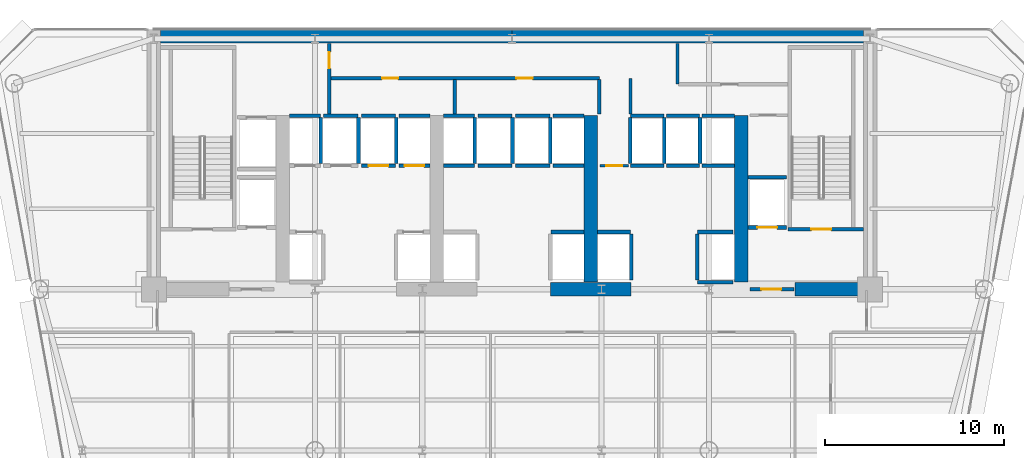
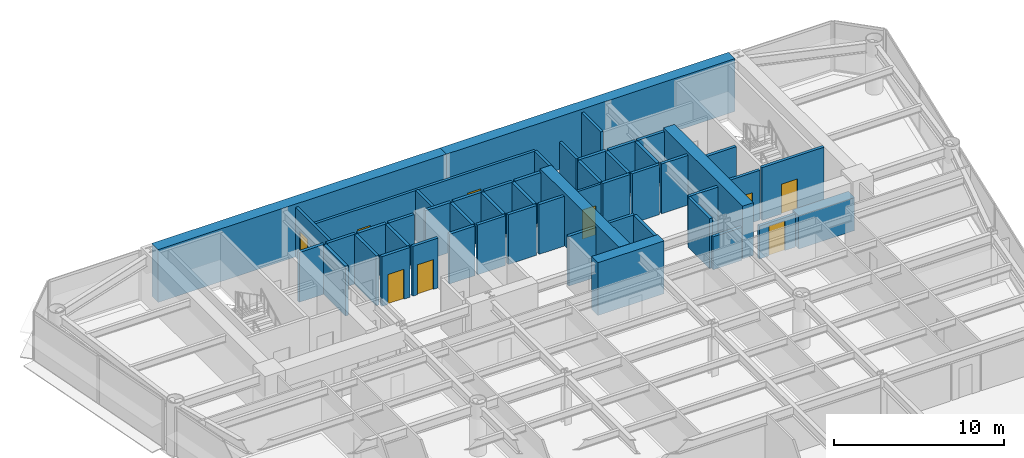
# One storey, part 9 of 14: 52 walls, 9 doors, 9 openings.
"""IFC4 building model written with IfcOpenShell, lengths in metres."""

from ifc_helpers import new_model, si_unit, direction, frame, frame_2d, origin, place, context, subcontext, project, spatial, rectangle, extrude, source, transform, mapped, material, layer, layer_set, type_object, element, fill, save


model = new_model("IFC4")

# Units and contexts
model_context = context("Model", 3, precision=1e-05, world=origin(), true_north=direction((0.0, 1.0)))
body_context = subcontext(model_context, "Body", "Model", "MODEL_VIEW")
ifc_project = project(units=[si_unit("LENGTHUNIT", "METRE"), si_unit("AREAUNIT", "SQUARE_METRE"), si_unit("VOLUMEUNIT", "CUBIC_METRE"), si_unit("PLANEANGLEUNIT", "RADIAN"), si_unit("MASSUNIT", "GRAM", prefix="KILO")], contexts=[model_context])

# Site, building, storey
site_placement = place(None, origin())
site = spatial("IfcSite", under=ifc_project, at=site_placement, CompositionType="ELEMENT")
building_placement = place(site_placement, origin())
building = spatial("IfcBuilding", under=site, at=building_placement, Name="Vaeldorn Concourse Tower", CompositionType="ELEMENT")
storey_placement = place(building_placement, frame((0.0, 0.0, 92.0)))
storey = spatial("IfcBuildingStorey", under=building, at=storey_placement, Name="L23", CompositionType="ELEMENT", Elevation=92.0)

# Walls
ifc_material_1 = material(Name="Concrete C60/75", Category="concrete")
ifc_layer_1 = layer(ifc_material_1, 0.75)
ifc_layer_set_1 = layer_set([ifc_layer_1], Name="Concrete C60/75")
wall_type_1 = type_object("IfcWallType", Name="WL-CORE-750", PredefinedType="SHEAR", material=ifc_layer_set_1)
for number, where, z_axis, x_axis, name in (
    (1, (14.37890625, 50.625, 0.0), (0.0, 0.0, 1.0), (1.0, 0.0, 0.0), "Rear Core Shear Wall L23 N1"),
    (2, (34.001953125, 50.625, 0.0), (0.0, 0.0, 1.0), (1.0, 0.0, 0.0), "Rear Core Shear Wall L23 N2"),
):
    element("IfcWall", number, at=place(storey_placement, frame(where, z_axis=z_axis, x_axis=x_axis)), inside=storey, type_object=wall_type_1, Name=name, PredefinedType="SHEAR", context=body_context, shape_type="SweptSolid", body=[
        extrude(rectangle(XDim=19.619140625, YDim=0.75, at=frame_2d((9.8095703125, 0.0))), origin(), (0.0, 0.0, 1.0), 3.800048828125),
    ])
wall_1_placement = place(storey_placement, frame((36.14990234375, 36.5, 0.0), z_axis=(0.0, 0.0, 1.0), x_axis=(1.0, 0.0, 0.0)))
element("IfcWall", 3, at=wall_1_placement, inside=storey, type_object=wall_type_1, Name="Rear Core Shear Wall L23 S3", PredefinedType="SHEAR", context=body_context, shape_type="SweptSolid", body=[
    extrude(rectangle(XDim=4.5, YDim=0.75, at=frame_2d((2.25, 0.0))), origin(), (0.0, 0.0, 1.0), 3.800048828125),
])
wall_2_placement = place(storey_placement, frame((49.800048828125, 36.5, 0.0), z_axis=(0.0, 0.0, 1.0), x_axis=(1.0, 0.0, 0.0)))
element("IfcWall", 4, at=wall_2_placement, inside=storey, type_object=wall_type_1, Name="Rear Core Shear Wall L23 S4", PredefinedType="SHEAR", context=body_context, shape_type="SweptSolid", body=[
    extrude(rectangle(XDim=3.804931640625, YDim=0.75, at=frame_2d((1.90234375, 0.0))), origin(), (0.0, 0.0, 1.0), 2.3798828125),
])
for number, where, z_axis, x_axis, name in (
    (5, (38.39990234375, 36.89501953125, 0.0), (0.0, 0.0, 1.0), (0.0, 1.0, 0.0), "Rear Core Shear Wall L23 M3"),
    (6, (46.800048828125, 36.89501953125, 0.0), (0.0, 0.0, 1.0), (0.0, 1.0, 0.0), "Rear Core Shear Wall L23 M4"),
):
    element("IfcWall", number, at=place(storey_placement, frame(where, z_axis=z_axis, x_axis=x_axis)), inside=storey, type_object=wall_type_1, Name=name, PredefinedType="SHEAR", context=body_context, shape_type="SweptSolid", body=[
        extrude(rectangle(XDim=9.304931640625, YDim=0.75, at=frame_2d((4.65234375, 0.0))), origin(), (0.0, 0.0, 1.0), 3.800048828125),
    ])

# Wall, opening, door
ifc_material_2 = material(Name="Gypsum Board Partition", Category="gypsum")
ifc_layer_2 = layer(ifc_material_2, 0.14990234375)
ifc_layer_set_2 = layer_set([ifc_layer_2], Name="Gypsum Board Partition")
wall_type_2 = type_object("IfcWallType", Name="WL-PART-150", PredefinedType="PARTITIONING", material=ifc_layer_set_2)
wall_3_placement = place(storey_placement, frame((38.919921875, 43.39990234375, 0.0), z_axis=(0.0, 0.0, 1.0), x_axis=(1.0, 0.0, 0.0)))
wall_3 = element("IfcWall", 7, at=wall_3_placement, inside=storey, type_object=wall_type_2, Name="Interior Wall CW-L23-CCLINK", PredefinedType="PARTITIONING", context=body_context, shape_type="SweptSolid", body=[
    extrude(rectangle(XDim=1.60009765625, YDim=0.14990234375, at=frame_2d((0.800048828125, 0.0))), origin(), (0.0, 0.0, 1.0), 3.580078125),
])
opening_1_placement = place(wall_3_placement, frame((0.35009765625, 0.0, 0.0)))
opening_1 = element("IfcOpeningElement", 8, at=opening_1_placement, cuts=wall_3, Name="Opening D-02", PredefinedType="OPENING", context=body_context, shape_type="SweptSolid", body=[
    extrude(rectangle(XDim=0.89990234375, YDim=2.10009765625, at=frame_2d((0.449951171875, 1.050048828125))), frame((0.0, 0.0849609375, 0.0), z_axis=(0.0, -1.0, 0.0), x_axis=(1.0, 0.0, 0.0)), (0.0, 0.0, 1.0), 0.169921875),
])
ifc_material_3 = material(Name="Fire-Rated Timber Leaf", Category="wood")
door_type_1 = type_object("IfcDoorType", Name="DR-FD30-900", OperationType="NOTDEFINED", PredefinedType="DOOR", material=ifc_material_3)
shared_shape_1 = source(origin(), body_context, "Body", "SweptSolid", [
    extrude(rectangle(XDim=0.89990234375, YDim=2.10009765625, at=frame_2d((0.449951171875, 1.050048828125))), frame((0.0, 0.02490234375, 0.0), z_axis=(0.0, -1.0, 0.0), x_axis=(1.0, 0.0, 0.0)), (0.0, 0.0, 1.0), 0.050048828125),
])
door_1_placement = place(opening_1_placement, origin())
door_1 = element("IfcDoor", 9, at=door_1_placement, inside=storey, type_object=door_type_1, Name="Interior Door DR-L23-CCLINK", OperationType="SINGLE_SWING_LEFT", OverallHeight=2.10009765625, OverallWidth=0.89990234375, PredefinedType="DOOR", context=body_context, shape_type="MappedRepresentation", body=[
    mapped(shared_shape_1, transform((0.0, 0.0, 0.0), scale=1.0)),
])
fill(opening_1, door_1)

# Wall, openings, doors
ifc_layer_3 = layer(ifc_material_2, 0.179931640625)
ifc_layer_set_3 = layer_set([ifc_layer_3], Name="Gypsum Board Partition")
wall_type_3 = type_object("IfcWallType", Name="WL-PLUMB-180", PredefinedType="PLUMBINGWALL", material=ifc_layer_set_3)
wall_4_placement = place(storey_placement, frame((23.85009765625, 48.280029296875, 0.0), z_axis=(0.0, 0.0, 1.0), x_axis=(1.0, 0.0, 0.0)))
wall_4 = element("IfcWall", 10, at=wall_4_placement, inside=storey, type_object=wall_type_3, Name="Interior Wall CW-L23-NS2W", PredefinedType="PLUMBINGWALL", context=body_context, shape_type="SweptSolid", body=[
    extrude(rectangle(XDim=15.02978515625, YDim=0.179931640625, at=frame_2d((7.514892578125, 0.0))), origin(), (0.0, 0.0, 1.0), 3.580078125),
])
opening_2_placement = place(wall_4_placement, frame((2.89990234375, 0.0, 0.0)))
opening_2 = element("IfcOpeningElement", 11, at=opening_2_placement, cuts=wall_4, Name="Opening D-03", PredefinedType="OPENING", context=body_context, shape_type="SweptSolid", body=[
    extrude(rectangle(XDim=0.89990234375, YDim=2.14990234375, at=frame_2d((0.449951171875, 1.074951171875))), frame((0.0, 0.10009765625, 0.0), z_axis=(0.0, -1.0, 0.0), x_axis=(1.0, 0.0, 0.0)), (0.0, 0.0, 1.0), 0.199951171875),
])
opening_3_placement = place(wall_4_placement, frame((10.39990234375, 0.0, 0.0)))
opening_3 = element("IfcOpeningElement", 12, at=opening_3_placement, cuts=wall_4, Name="Opening D-03", PredefinedType="OPENING", context=body_context, shape_type="SweptSolid", body=[
    extrude(rectangle(XDim=0.89990234375, YDim=2.14990234375, at=frame_2d((0.449951171875, 1.074951171875))), frame((0.0, 0.10009765625, 0.0), z_axis=(0.0, -1.0, 0.0), x_axis=(1.0, 0.0, 0.0)), (0.0, 0.0, 1.0), 0.199951171875),
])
ifc_material_4 = material(Name="Acoustic Bronze-Framed Glass Door", Category="glass")
door_type_2 = type_object("IfcDoorType", Name="DR-INT-900", OperationType="NOTDEFINED", PredefinedType="DOOR", material=ifc_material_4)
shared_shape_2 = source(origin(), body_context, "Body", "SweptSolid", [
    extrude(rectangle(XDim=0.89990234375, YDim=2.14990234375, at=frame_2d((0.449951171875, 1.074951171875))), frame((0.0, 0.02490234375, 0.0), z_axis=(0.0, -1.0, 0.0), x_axis=(1.0, 0.0, 0.0)), (0.0, 0.0, 1.0), 0.050048828125),
])
door_2_placement = place(opening_2_placement, origin())
door_2 = element("IfcDoor", 13, at=door_2_placement, inside=storey, type_object=door_type_2, Name="Interior Door DR-L23-CS2", OperationType="SINGLE_SWING_RIGHT", OverallHeight=2.14990234375, OverallWidth=0.89990234375, PredefinedType="DOOR", context=body_context, shape_type="MappedRepresentation", body=[
    mapped(shared_shape_2, transform((0.0, 0.0, 0.0), scale=1.0)),
])
fill(opening_2, door_2)
door_3_placement = place(opening_3_placement, origin())
door_3 = element("IfcDoor", 14, at=door_3_placement, inside=storey, type_object=door_type_2, Name="Interior Door DR-L23-CS3", OperationType="SINGLE_SWING_LEFT", OverallHeight=2.14990234375, OverallWidth=0.89990234375, PredefinedType="DOOR", context=body_context, shape_type="MappedRepresentation", body=[
    mapped(shared_shape_2, transform((0.0, 0.0, 0.0), scale=1.0)),
])
fill(opening_3, door_3)

# Wall, opening, door
wall_5_placement = place(storey_placement, frame((23.800048828125, 46.280029296875, 0.0), z_axis=(0.0, 0.0, 1.0), x_axis=(0.0, 1.0, 0.0)))
wall_5 = element("IfcWall", 15, at=wall_5_placement, inside=storey, type_object=wall_type_3, Name="Interior Wall CW-L23-SDIV1", PredefinedType="PLUMBINGWALL", context=body_context, shape_type="SweptSolid", body=[
    extrude(rectangle(XDim=3.949951171875, YDim=0.179931640625, at=frame_2d((1.97509765625, 0.0))), origin(), (0.0, 0.0, 1.0), 3.580078125),
])
opening_4_placement = place(wall_5_placement, frame((2.56005859375, 0.0, 0.0)))
opening_4 = element("IfcOpeningElement", 16, at=opening_4_placement, cuts=wall_5, Name="Opening D-03", PredefinedType="OPENING", context=body_context, shape_type="SweptSolid", body=[
    extrude(rectangle(XDim=0.89990234375, YDim=2.14990234375, at=frame_2d((0.449951171875, 1.074951171875))), frame((0.0, 0.10009765625, 0.0), z_axis=(0.0, -1.0, 0.0), x_axis=(1.0, 0.0, 0.0)), (0.0, 0.0, 1.0), 0.199951171875),
])
door_4_placement = place(opening_4_placement, origin())
door_4 = element("IfcDoor", 17, at=door_4_placement, inside=storey, type_object=door_type_2, Name="Interior Door DR-L23-CS1", OperationType="SINGLE_SWING_LEFT", OverallHeight=2.14990234375, OverallWidth=0.89990234375, PredefinedType="DOOR", context=body_context, shape_type="MappedRepresentation", body=[
    mapped(shared_shape_2, transform((0.0, 0.0, 0.0), scale=1.0)),
])
fill(opening_4, door_4)

# Walls
for number, where, z_axis, x_axis, name in (
    (18, (30.800048828125, 46.280029296875, 0.0), (0.0, 0.0, 1.0), (0.0, 1.0, 0.0), "Interior Wall CW-L23-SDIV2"),
    (19, (38.8798828125, 46.280029296875, 0.0), (0.0, 0.0, 1.0), (0.0, 1.0, 0.0), "Interior Wall CW-L23-SDIV4"),
):
    element("IfcWall", number, at=place(storey_placement, frame(where, z_axis=z_axis, x_axis=x_axis)), inside=storey, type_object=wall_type_3, Name=name, PredefinedType="PLUMBINGWALL", context=body_context, shape_type="SweptSolid", body=[
        extrude(rectangle(XDim=1.93994140625, YDim=0.179931640625, at=frame_2d((0.969970703125, 0.0))), origin(), (0.0, 0.0, 1.0), 3.580078125),
    ])
wall_6_placement = place(storey_placement, frame((40.6201171875, 46.280029296875, 0.0), z_axis=(0.0, 0.0, 1.0), x_axis=(0.0, 1.0, 0.0)))
element("IfcWall", 20, at=wall_6_placement, inside=storey, type_object=wall_type_3, Name="Interior Wall CW-L23-SDIV5", PredefinedType="PLUMBINGWALL", context=body_context, shape_type="SweptSolid", body=[
    extrude(rectangle(XDim=2.0, YDim=0.179931640625, at=frame_2d((1.0, 0.0))), origin(), (0.0, 0.0, 1.0), 3.580078125),
])
wall_7_placement = place(storey_placement, frame((43.25, 47.949951171875, 0.0), z_axis=(0.0, 0.0, 1.0), x_axis=(0.0, 1.0, 0.0)))
element("IfcWall", 21, at=wall_7_placement, inside=storey, type_object=wall_type_3, Name="Interior Wall CW-L23-SDIV6", PredefinedType="PLUMBINGWALL", context=body_context, shape_type="SweptSolid", body=[
    extrude(rectangle(XDim=2.280029296875, YDim=0.179931640625, at=frame_2d((1.14013671875, 0.0))), origin(), (0.0, 0.0, 1.0), 3.580078125),
])

# Wall, opening, door
ifc_material_5 = material(Name="Concrete C50/60", Category="concrete")
ifc_layer_4 = layer(ifc_material_5, 0.199951171875)
ifc_layer_set_4 = layer_set([ifc_layer_4], Name="Concrete C50/60")
wall_type_4 = type_object("IfcWallType", Name="WL-SHAFT-200", PredefinedType="SOLIDWALL", material=ifc_layer_set_4)
wall_8_placement = place(storey_placement, frame((49.39990234375, 39.85009765625, 0.0), z_axis=(0.0, 0.0, 1.0), x_axis=(1.0, 0.0, 0.0)))
wall_8 = element("IfcWall", 22, at=wall_8_placement, inside=storey, type_object=wall_type_4, Name="Stair Shaft Wall CW-L23-ST-2-S", PredefinedType="SOLIDWALL", context=body_context, shape_type="SweptSolid", body=[
    extrude(rectangle(XDim=4.22509765625, YDim=0.199951171875, at=frame_2d((2.112548828125, 0.0))), origin(), (0.0, 0.0, 1.0), 3.800048828125),
])
opening_5_placement = place(wall_8_placement, frame((1.324951171875, 0.0, 0.0)))
opening_5 = element("IfcOpeningElement", 23, at=opening_5_placement, cuts=wall_8, Name="Opening D-01", PredefinedType="OPENING", context=body_context, shape_type="SweptSolid", body=[
    extrude(rectangle(XDim=1.10009765625, YDim=2.14990234375, at=frame_2d((0.550048828125, 1.074951171875))), frame((0.0, 0.10986328125, 0.0), z_axis=(0.0, -1.0, 0.0), x_axis=(1.0, 0.0, 0.0)), (0.0, 0.0, 1.0), 0.219970703125),
])
ifc_material_6 = material(Name="Fire-Rated Timber and Steel Leaf", Category="steel")
door_type_3 = type_object("IfcDoorType", Name="DR-FD60-1100", OperationType="NOTDEFINED", PredefinedType="DOOR", material=ifc_material_6)
shared_shape_3 = source(origin(), body_context, "Body", "SweptSolid", [
    extrude(rectangle(XDim=1.10009765625, YDim=2.14990234375, at=frame_2d((0.550048828125, 1.074951171875))), frame((0.0, 0.02490234375, 0.0), z_axis=(0.0, -1.0, 0.0), x_axis=(1.0, 0.0, 0.0)), (0.0, 0.0, 1.0), 0.050048828125),
])
door_5_placement = place(opening_5_placement, origin())
door_5 = element("IfcDoor", 24, at=door_5_placement, inside=storey, type_object=door_type_3, Name="Interior Door DR-L23-ST-2", OperationType="SINGLE_SWING_RIGHT", OverallHeight=2.14990234375, OverallWidth=1.10009765625, PredefinedType="DOOR", context=body_context, shape_type="MappedRepresentation", body=[
    mapped(shared_shape_3, transform((0.0, 0.0, 0.0), scale=1.0)),
])
fill(opening_5, door_5)

wall_9_placement = place(storey_placement, frame((47.280029296875, 36.5, 0.0), z_axis=(0.0, 0.0, 1.0), x_axis=(1.0, 0.0, 0.0)))
wall_9 = element("IfcWall", 25, at=wall_9_placement, inside=storey, type_object=wall_type_4, Name="Interior Wall CW-L23-FF2S", PredefinedType="SOLIDWALL", context=body_context, shape_type="SweptSolid", body=[
    extrude(rectangle(XDim=2.469970703125, YDim=0.199951171875, at=frame_2d((1.23486328125, 0.0))), origin(), (0.0, 0.0, 1.0), 2.3701171875),
])
opening_6_placement = place(wall_9_placement, frame((0.64990234375, 0.0, 0.0)))
opening_6 = element("IfcOpeningElement", 26, at=opening_6_placement, cuts=wall_9, Name="Opening D-01", PredefinedType="OPENING", context=body_context, shape_type="SweptSolid", body=[
    extrude(rectangle(XDim=1.10009765625, YDim=2.14990234375, at=frame_2d((0.550048828125, 1.074951171875))), frame((0.0, 0.10986328125, 0.0), z_axis=(0.0, -1.0, 0.0), x_axis=(1.0, 0.0, 0.0)), (0.0, 0.0, 1.0), 0.219970703125),
])
door_6_placement = place(opening_6_placement, origin())
door_6 = element("IfcDoor", 27, at=door_6_placement, inside=storey, type_object=door_type_3, Name="Interior Door DR-L23-FF2W", OperationType="SINGLE_SWING_LEFT", OverallHeight=2.14990234375, OverallWidth=1.10009765625, PredefinedType="DOOR", context=body_context, shape_type="MappedRepresentation", body=[
    mapped(shared_shape_3, transform((0.0, 0.0, 0.0), scale=1.0)),
])
fill(opening_6, door_6)

# Walls
wall_10_placement = place(storey_placement, frame((21.5849609375, 46.199951171875, 0.0), z_axis=(0.0, 0.0, 1.0), x_axis=(1.0, 0.0, 0.0)))
element("IfcWall", 28, at=wall_10_placement, inside=storey, type_object=wall_type_4, Name="Interior Wall CW-L23-LFB-LF-03", PredefinedType="SOLIDWALL", context=body_context, shape_type="SweptSolid", body=[
    extrude(rectangle(XDim=1.72509765625, YDim=0.199951171875, at=frame_2d((0.862548828125, 0.0))), origin(), (0.0, 0.0, 1.0), 3.580078125),
])
wall_11_placement = place(storey_placement, frame((23.330078125, 43.52001953125, 0.0), z_axis=(0.0, 0.0, 1.0), x_axis=(0.0, 1.0, 0.0)))
element("IfcWall", 29, at=wall_11_placement, inside=storey, type_object=wall_type_4, Name="Interior Wall CW-L23-LFE-LF-03", PredefinedType="SOLIDWALL", context=body_context, shape_type="SweptSolid", body=[
    extrude(rectangle(XDim=2.56005859375, YDim=0.199951171875, at=frame_2d((1.280029296875, 0.0))), origin(), (0.0, 0.0, 1.0), 3.580078125),
])
wall_12_placement = place(storey_placement, frame((23.489990234375, 46.199951171875, 0.0), z_axis=(0.0, 0.0, 1.0), x_axis=(1.0, 0.0, 0.0)))
element("IfcWall", 30, at=wall_12_placement, inside=storey, type_object=wall_type_4, Name="Interior Wall CW-L23-LFB-LF-04", PredefinedType="SOLIDWALL", context=body_context, shape_type="SweptSolid", body=[
    extrude(rectangle(XDim=1.919921875, YDim=0.199951171875, at=frame_2d((0.9599609375, 0.0))), origin(), (0.0, 0.0, 1.0), 3.580078125),
])
wall_13_placement = place(storey_placement, frame((25.429931640625, 43.52001953125, 0.0), z_axis=(0.0, 0.0, 1.0), x_axis=(0.0, 1.0, 0.0)))
element("IfcWall", 31, at=wall_13_placement, inside=storey, type_object=wall_type_4, Name="Interior Wall CW-L23-LFE-LF-04", PredefinedType="SOLIDWALL", context=body_context, shape_type="SweptSolid", body=[
    extrude(rectangle(XDim=2.56005859375, YDim=0.199951171875, at=frame_2d((1.280029296875, 0.0))), origin(), (0.0, 0.0, 1.0), 3.580078125),
])

# Wall, opening, door
wall_14_placement = place(storey_placement, frame((25.590087890625, 43.39990234375, 0.0), z_axis=(0.0, 0.0, 1.0), x_axis=(1.0, 0.0, 0.0)))
wall_14 = element("IfcWall", 32, at=wall_14_placement, inside=storey, type_object=wall_type_4, Name="Interior Wall CW-L23-LF-LF-05", PredefinedType="SOLIDWALL", context=body_context, shape_type="SweptSolid", body=[
    extrude(rectangle(XDim=1.919921875, YDim=0.199951171875, at=frame_2d((0.9599609375, 0.0))), origin(), (0.0, 0.0, 1.0), 3.580078125),
])
opening_7_placement = place(wall_14_placement, frame((0.409912109375, 0.0, 0.0)))
opening_7 = element("IfcOpeningElement", 33, at=opening_7_placement, cuts=wall_14, Name="Opening LD-1", PredefinedType="OPENING", context=body_context, shape_type="SweptSolid", body=[
    extrude(rectangle(XDim=1.10009765625, YDim=2.14990234375, at=frame_2d((0.550048828125, 1.074951171875))), frame((0.0, 0.10986328125, 0.0), z_axis=(0.0, -1.0, 0.0), x_axis=(1.0, 0.0, 0.0)), (0.0, 0.0, 1.0), 0.219970703125),
])
ifc_material_7 = material(Name="Anodised Bronze Aluminium", Category="aluminium")
door_type_4 = type_object("IfcDoorType", Name="DR-LIFT-SLIDE-1100", OperationType="DOUBLE_DOOR_SLIDING", PredefinedType="DOOR", material=ifc_material_7)
door_7_placement = place(opening_7_placement, origin())
door_7 = element("IfcDoor", 34, at=door_7_placement, inside=storey, type_object=door_type_4, Name="Lift Landing Door LD-L23-LF-05", OperationType="DOUBLE_DOOR_SLIDING", OverallHeight=2.14990234375, OverallWidth=1.10009765625, PredefinedType="DOOR", context=body_context, shape_type="MappedRepresentation", body=[
    mapped(shared_shape_3, transform((0.0, 0.0, 0.0), scale=1.0)),
])
fill(opening_7, door_7)

# Walls
wall_15_placement = place(storey_placement, frame((25.590087890625, 46.199951171875, 0.0), z_axis=(0.0, 0.0, 1.0), x_axis=(1.0, 0.0, 0.0)))
element("IfcWall", 35, at=wall_15_placement, inside=storey, type_object=wall_type_4, Name="Interior Wall CW-L23-LFB-LF-05", PredefinedType="SOLIDWALL", context=body_context, shape_type="SweptSolid", body=[
    extrude(rectangle(XDim=1.919921875, YDim=0.199951171875, at=frame_2d((0.9599609375, 0.0))), origin(), (0.0, 0.0, 1.0), 3.580078125),
])
wall_16_placement = place(storey_placement, frame((27.530029296875, 43.52001953125, 0.0), z_axis=(0.0, 0.0, 1.0), x_axis=(0.0, 1.0, 0.0)))
element("IfcWall", 36, at=wall_16_placement, inside=storey, type_object=wall_type_4, Name="Interior Wall CW-L23-LFE-LF-05", PredefinedType="SOLIDWALL", context=body_context, shape_type="SweptSolid", body=[
    extrude(rectangle(XDim=2.56005859375, YDim=0.199951171875, at=frame_2d((1.280029296875, 0.0))), origin(), (0.0, 0.0, 1.0), 3.580078125),
])

# Wall, opening, door
wall_17_placement = place(storey_placement, frame((27.68994140625, 43.39990234375, 0.0), z_axis=(0.0, 0.0, 1.0), x_axis=(1.0, 0.0, 0.0)))
wall_17 = element("IfcWall", 37, at=wall_17_placement, inside=storey, type_object=wall_type_4, Name="Interior Wall CW-L23-LF-LF-06", PredefinedType="SOLIDWALL", context=body_context, shape_type="SweptSolid", body=[
    extrude(rectangle(XDim=1.72509765625, YDim=0.199951171875, at=frame_2d((0.862548828125, 0.0))), origin(), (0.0, 0.0, 1.0), 3.580078125),
])
opening_8_placement = place(wall_17_placement, frame((0.31201171875, 0.0, 0.0)))
opening_8 = element("IfcOpeningElement", 38, at=opening_8_placement, cuts=wall_17, Name="Opening LD-1", PredefinedType="OPENING", context=body_context, shape_type="SweptSolid", body=[
    extrude(rectangle(XDim=1.10009765625, YDim=2.14990234375, at=frame_2d((0.550048828125, 1.074951171875))), frame((0.0, 0.10986328125, 0.0), z_axis=(0.0, -1.0, 0.0), x_axis=(1.0, 0.0, 0.0)), (0.0, 0.0, 1.0), 0.219970703125),
])
door_8_placement = place(opening_8_placement, origin())
door_8 = element("IfcDoor", 39, at=door_8_placement, inside=storey, type_object=door_type_4, Name="Lift Landing Door LD-L23-LF-06", OperationType="DOUBLE_DOOR_SLIDING", OverallHeight=2.14990234375, OverallWidth=1.10009765625, PredefinedType="DOOR", context=body_context, shape_type="MappedRepresentation", body=[
    mapped(shared_shape_3, transform((0.0, 0.0, 0.0), scale=1.0)),
])
fill(opening_8, door_8)

# Walls
wall_18_placement = place(storey_placement, frame((27.68994140625, 46.199951171875, 0.0), z_axis=(0.0, 0.0, 1.0), x_axis=(1.0, 0.0, 0.0)))
element("IfcWall", 40, at=wall_18_placement, inside=storey, type_object=wall_type_4, Name="Interior Wall CW-L23-LFB-LF-06", PredefinedType="SOLIDWALL", context=body_context, shape_type="SweptSolid", body=[
    extrude(rectangle(XDim=1.72509765625, YDim=0.199951171875, at=frame_2d((0.862548828125, 0.0))), origin(), (0.0, 0.0, 1.0), 3.580078125),
])
wall_19_placement = place(storey_placement, frame((36.169921875, 39.699951171875, 0.0), z_axis=(0.0, 0.0, 1.0), x_axis=(1.0, 0.0, 0.0)))
element("IfcWall", 41, at=wall_19_placement, inside=storey, type_object=wall_type_4, Name="Interior Wall CW-L23-LF-LF-08", PredefinedType="SOLIDWALL", context=body_context, shape_type="SweptSolid", body=[
    extrude(rectangle(XDim=1.844970703125, YDim=0.199951171875, at=frame_2d((0.92236328125, 0.0))), origin(), (0.0, 0.0, 1.0), 3.580078125),
])
for number, where, z_axis, x_axis, name in (
    (42, (30.18505859375, 43.39990234375, 0.0), (0.0, 0.0, 1.0), (1.0, 0.0, 0.0), "Interior Wall CW-L23-LF-LF-09"),
    (43, (30.18505859375, 46.199951171875, 0.0), (0.0, 0.0, 1.0), (1.0, 0.0, 0.0), "Interior Wall CW-L23-LFB-LF-09"),
):
    element("IfcWall", number, at=place(storey_placement, frame(where, z_axis=z_axis, x_axis=x_axis)), inside=storey, type_object=wall_type_4, Name=name, PredefinedType="SOLIDWALL", context=body_context, shape_type="SweptSolid", body=[
        extrude(rectangle(XDim=1.724853515625, YDim=0.199951171875, at=frame_2d((0.8623046875, 0.0))), origin(), (0.0, 0.0, 1.0), 3.580078125),
    ])
wall_20_placement = place(storey_placement, frame((31.929931640625, 43.52001953125, 0.0), z_axis=(0.0, 0.0, 1.0), x_axis=(0.0, 1.0, 0.0)))
element("IfcWall", 44, at=wall_20_placement, inside=storey, type_object=wall_type_4, Name="Interior Wall CW-L23-LFE-LF-09", PredefinedType="SOLIDWALL", context=body_context, shape_type="SweptSolid", body=[
    extrude(rectangle(XDim=2.56005859375, YDim=0.199951171875, at=frame_2d((1.280029296875, 0.0))), origin(), (0.0, 0.0, 1.0), 3.580078125),
])
for number, where, z_axis, x_axis, name in (
    (45, (32.090087890625, 43.39990234375, 0.0), (0.0, 0.0, 1.0), (1.0, 0.0, 0.0), "Interior Wall CW-L23-LF-LF-10"),
    (46, (32.090087890625, 46.199951171875, 0.0), (0.0, 0.0, 1.0), (1.0, 0.0, 0.0), "Interior Wall CW-L23-LFB-LF-10"),
):
    element("IfcWall", number, at=place(storey_placement, frame(where, z_axis=z_axis, x_axis=x_axis)), inside=storey, type_object=wall_type_4, Name=name, PredefinedType="SOLIDWALL", context=body_context, shape_type="SweptSolid", body=[
        extrude(rectangle(XDim=1.919921875, YDim=0.199951171875, at=frame_2d((0.9599609375, 0.0))), origin(), (0.0, 0.0, 1.0), 3.580078125),
    ])
wall_21_placement = place(storey_placement, frame((34.030029296875, 43.52001953125, 0.0), z_axis=(0.0, 0.0, 1.0), x_axis=(0.0, 1.0, 0.0)))
element("IfcWall", 47, at=wall_21_placement, inside=storey, type_object=wall_type_4, Name="Interior Wall CW-L23-LFE-LF-10", PredefinedType="SOLIDWALL", context=body_context, shape_type="SweptSolid", body=[
    extrude(rectangle(XDim=2.56005859375, YDim=0.199951171875, at=frame_2d((1.280029296875, 0.0))), origin(), (0.0, 0.0, 1.0), 3.580078125),
])
for number, where, z_axis, x_axis, name in (
    (48, (34.18994140625, 43.39990234375, 0.0), (0.0, 0.0, 1.0), (1.0, 0.0, 0.0), "Interior Wall CW-L23-LF-LF-11"),
    (49, (34.18994140625, 46.199951171875, 0.0), (0.0, 0.0, 1.0), (1.0, 0.0, 0.0), "Interior Wall CW-L23-LFB-LF-11"),
):
    element("IfcWall", number, at=place(storey_placement, frame(where, z_axis=z_axis, x_axis=x_axis)), inside=storey, type_object=wall_type_4, Name=name, PredefinedType="SOLIDWALL", context=body_context, shape_type="SweptSolid", body=[
        extrude(rectangle(XDim=1.920166015625, YDim=0.199951171875, at=frame_2d((0.9599609375, 0.0))), origin(), (0.0, 0.0, 1.0), 3.580078125),
    ])
wall_22_placement = place(storey_placement, frame((36.1298828125, 43.52001953125, 0.0), z_axis=(0.0, 0.0, 1.0), x_axis=(0.0, 1.0, 0.0)))
element("IfcWall", 50, at=wall_22_placement, inside=storey, type_object=wall_type_4, Name="Interior Wall CW-L23-LFE-LF-11", PredefinedType="SOLIDWALL", context=body_context, shape_type="SweptSolid", body=[
    extrude(rectangle(XDim=2.56005859375, YDim=0.199951171875, at=frame_2d((1.280029296875, 0.0))), origin(), (0.0, 0.0, 1.0), 3.580078125),
])
for number, where, z_axis, x_axis, name in (
    (51, (36.2900390625, 43.39990234375, 0.0), (0.0, 0.0, 1.0), (1.0, 0.0, 0.0), "Interior Wall CW-L23-LF-LF-12"),
    (52, (36.2900390625, 46.199951171875, 0.0), (0.0, 0.0, 1.0), (1.0, 0.0, 0.0), "Interior Wall CW-L23-LFB-LF-12"),
):
    element("IfcWall", number, at=place(storey_placement, frame(where, z_axis=z_axis, x_axis=x_axis)), inside=storey, type_object=wall_type_4, Name=name, PredefinedType="SOLIDWALL", context=body_context, shape_type="SweptSolid", body=[
        extrude(rectangle(XDim=1.724853515625, YDim=0.199951171875, at=frame_2d((0.8623046875, 0.0))), origin(), (0.0, 0.0, 1.0), 3.580078125),
    ])
wall_23_placement = place(storey_placement, frame((38.784912109375, 39.699951171875, 0.0), z_axis=(0.0, 0.0, 1.0), x_axis=(1.0, 0.0, 0.0)))
element("IfcWall", 53, at=wall_23_placement, inside=storey, type_object=wall_type_4, Name="Interior Wall CW-L23-LF-LF-13", PredefinedType="SOLIDWALL", context=body_context, shape_type="SweptSolid", body=[
    extrude(rectangle(XDim=1.844970703125, YDim=0.199951171875, at=frame_2d((0.92236328125, 0.0))), origin(), (0.0, 0.0, 1.0), 3.580078125),
])
wall_24_placement = place(storey_placement, frame((40.64990234375, 37.02001953125, 0.0), z_axis=(0.0, 0.0, 1.0), x_axis=(0.0, 1.0, 0.0)))
element("IfcWall", 54, at=wall_24_placement, inside=storey, type_object=wall_type_4, Name="Interior Wall CW-L23-LFE-LF-13", PredefinedType="SOLIDWALL", context=body_context, shape_type="SweptSolid", body=[
    extrude(rectangle(XDim=2.56005859375, YDim=0.199951171875, at=frame_2d((1.280029296875, 0.0))), origin(), (0.0, 0.0, 1.0), 3.580078125),
])
wall_25_placement = place(storey_placement, frame((44.3701171875, 39.699951171875, 0.0), z_axis=(0.0, 0.0, 1.0), x_axis=(1.0, 0.0, 0.0)))
element("IfcWall", 55, at=wall_25_placement, inside=storey, type_object=wall_type_4, Name="Interior Wall CW-L23-LF-LF-14", PredefinedType="SOLIDWALL", context=body_context, shape_type="SweptSolid", body=[
    extrude(rectangle(XDim=1.9599609375, YDim=0.199951171875, at=frame_2d((0.97998046875, 0.0))), origin(), (0.0, 0.0, 1.0), 3.580078125),
])
wall_26_placement = place(storey_placement, frame((44.3701171875, 36.89990234375, 0.0), z_axis=(0.0, 0.0, 1.0), x_axis=(1.0, 0.0, 0.0)))
element("IfcWall", 56, at=wall_26_placement, inside=storey, type_object=wall_type_4, Name="Interior Wall CW-L23-LFB-LF-14", PredefinedType="SOLIDWALL", context=body_context, shape_type="SweptSolid", body=[
    extrude(rectangle(XDim=1.9599609375, YDim=0.199951171875, at=frame_2d((0.97998046875, 0.0))), origin(), (0.0, 0.0, 1.0), 2.3701171875),
])
wall_27_placement = place(storey_placement, frame((44.35009765625, 37.02001953125, 0.0), z_axis=(0.0, 0.0, 1.0), x_axis=(0.0, 1.0, 0.0)))
element("IfcWall", 57, at=wall_27_placement, inside=storey, type_object=wall_type_4, Name="Interior Wall CW-L23-LFW-LF-14", PredefinedType="SOLIDWALL", context=body_context, shape_type="SweptSolid", body=[
    extrude(rectangle(XDim=2.56005859375, YDim=0.199951171875, at=frame_2d((1.280029296875, 0.0))), origin(), (0.0, 0.0, 1.0), 3.580078125),
])
for number, where, z_axis, x_axis, name in (
    (58, (40.6201171875, 43.39990234375, 0.0), (0.0, 0.0, 1.0), (1.0, 0.0, 0.0), "Interior Wall CW-L23-LF-LF-15"),
    (59, (40.6201171875, 46.199951171875, 0.0), (0.0, 0.0, 1.0), (1.0, 0.0, 0.0), "Interior Wall CW-L23-LFB-LF-15"),
):
    element("IfcWall", number, at=place(storey_placement, frame(where, z_axis=z_axis, x_axis=x_axis)), inside=storey, type_object=wall_type_4, Name=name, PredefinedType="SOLIDWALL", context=body_context, shape_type="SweptSolid", body=[
        extrude(rectangle(XDim=1.85986328125, YDim=0.199951171875, at=frame_2d((0.929931640625, 0.0))), origin(), (0.0, 0.0, 1.0), 3.580078125),
    ])
for number, where, z_axis, x_axis, name in (
    (60, (40.60009765625, 43.52001953125, 0.0), (0.0, 0.0, 1.0), (0.0, 1.0, 0.0), "Interior Wall CW-L23-LFW-LF-15"),
    (61, (42.5, 43.52001953125, 0.0), (0.0, 0.0, 1.0), (0.0, 1.0, 0.0), "Interior Wall CW-L23-LFE-LF-15"),
):
    element("IfcWall", number, at=place(storey_placement, frame(where, z_axis=z_axis, x_axis=x_axis)), inside=storey, type_object=wall_type_4, Name=name, PredefinedType="SOLIDWALL", context=body_context, shape_type="SweptSolid", body=[
        extrude(rectangle(XDim=2.56005859375, YDim=0.199951171875, at=frame_2d((1.280029296875, 0.0))), origin(), (0.0, 0.0, 1.0), 3.580078125),
    ])
for number, where, z_axis, x_axis, name in (
    (62, (42.6201171875, 43.39990234375, 0.0), (0.0, 0.0, 1.0), (1.0, 0.0, 0.0), "Interior Wall CW-L23-LF-LF-16"),
    (63, (42.6201171875, 46.199951171875, 0.0), (0.0, 0.0, 1.0), (1.0, 0.0, 0.0), "Interior Wall CW-L23-LFB-LF-16"),
):
    element("IfcWall", number, at=place(storey_placement, frame(where, z_axis=z_axis, x_axis=x_axis)), inside=storey, type_object=wall_type_4, Name=name, PredefinedType="SOLIDWALL", context=body_context, shape_type="SweptSolid", body=[
        extrude(rectangle(XDim=1.85986328125, YDim=0.199951171875, at=frame_2d((0.929931640625, 0.0))), origin(), (0.0, 0.0, 1.0), 3.580078125),
    ])
wall_28_placement = place(storey_placement, frame((44.5, 43.52001953125, 0.0), z_axis=(0.0, 0.0, 1.0), x_axis=(0.0, 1.0, 0.0)))
element("IfcWall", 64, at=wall_28_placement, inside=storey, type_object=wall_type_4, Name="Interior Wall CW-L23-LFE-LF-16", PredefinedType="SOLIDWALL", context=body_context, shape_type="SweptSolid", body=[
    extrude(rectangle(XDim=2.56005859375, YDim=0.199951171875, at=frame_2d((1.280029296875, 0.0))), origin(), (0.0, 0.0, 1.0), 3.580078125),
])
for number, where, z_axis, x_axis, name in (
    (65, (44.6201171875, 43.39990234375, 0.0), (0.0, 0.0, 1.0), (1.0, 0.0, 0.0), "Interior Wall CW-L23-LF-LF-17"),
    (66, (44.6201171875, 46.199951171875, 0.0), (0.0, 0.0, 1.0), (1.0, 0.0, 0.0), "Interior Wall CW-L23-LFB-LF-17"),
):
    element("IfcWall", number, at=place(storey_placement, frame(where, z_axis=z_axis, x_axis=x_axis)), inside=storey, type_object=wall_type_4, Name=name, PredefinedType="SOLIDWALL", context=body_context, shape_type="SweptSolid", body=[
        extrude(rectangle(XDim=1.794921875, YDim=0.199951171875, at=frame_2d((0.8974609375, 0.0))), origin(), (0.0, 0.0, 1.0), 3.580078125),
    ])

# Wall, opening, door
wall_29_placement = place(storey_placement, frame((47.18505859375, 39.949951171875, 0.0), z_axis=(0.0, 0.0, 1.0), x_axis=(1.0, 0.0, 0.0)))
wall_29 = element("IfcWall", 67, at=wall_29_placement, inside=storey, type_object=wall_type_4, Name="Interior Wall CW-L23-LF-LF-FF2", PredefinedType="SOLIDWALL", context=body_context, shape_type="SweptSolid", body=[
    extrude(rectangle(XDim=2.14501953125, YDim=0.199951171875, at=frame_2d((1.072509765625, 0.0))), origin(), (0.0, 0.0, 1.0), 3.580078125),
])
opening_9_placement = place(wall_29_placement, frame((0.52197265625, 0.0, 0.0)))
opening_9 = element("IfcOpeningElement", 68, at=opening_9_placement, cuts=wall_29, Name="Opening LD-1", PredefinedType="OPENING", context=body_context, shape_type="SweptSolid", body=[
    extrude(rectangle(XDim=1.10009765625, YDim=2.14990234375, at=frame_2d((0.550048828125, 1.074951171875))), frame((0.0, 0.10986328125, 0.0), z_axis=(0.0, -1.0, 0.0), x_axis=(1.0, 0.0, 0.0)), (0.0, 0.0, 1.0), 0.219970703125),
])
door_9_placement = place(opening_9_placement, origin())
door_9 = element("IfcDoor", 69, at=door_9_placement, inside=storey, type_object=door_type_4, Name="Lift Landing Door LD-L23-LF-FF2", OperationType="DOUBLE_DOOR_SLIDING", OverallHeight=2.14990234375, OverallWidth=1.10009765625, PredefinedType="DOOR", context=body_context, shape_type="MappedRepresentation", body=[
    mapped(shared_shape_3, transform((0.0, 0.0, 0.0), scale=1.0)),
])
fill(opening_9, door_9)

# Wall
wall_30_placement = place(storey_placement, frame((47.18505859375, 42.75, 0.0), z_axis=(0.0, 0.0, 1.0), x_axis=(1.0, 0.0, 0.0)))
element("IfcWall", 70, at=wall_30_placement, inside=storey, type_object=wall_type_4, Name="Interior Wall CW-L23-LFB-LF-FF2", PredefinedType="SOLIDWALL", context=body_context, shape_type="SweptSolid", body=[
    extrude(rectangle(XDim=2.14501953125, YDim=0.199951171875, at=frame_2d((1.072509765625, 0.0))), origin(), (0.0, 0.0, 1.0), 3.580078125),
])

save(model, "model.ifc")
